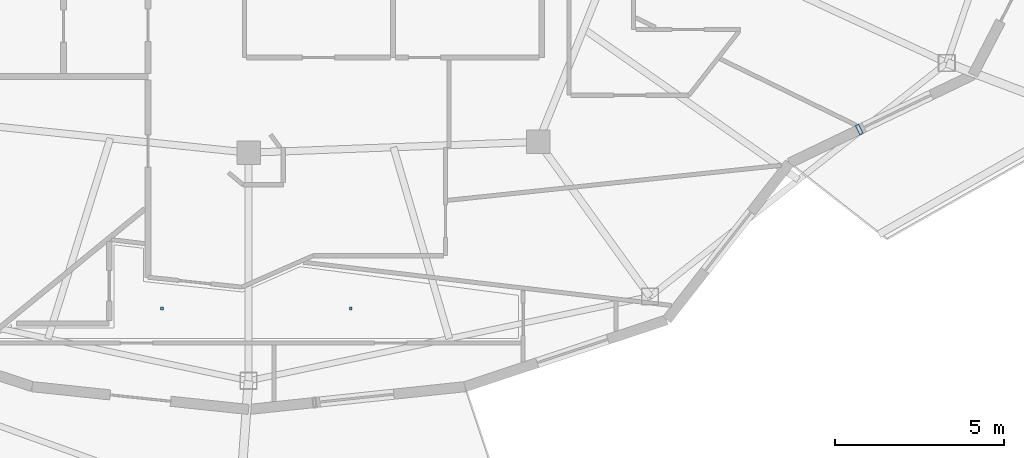
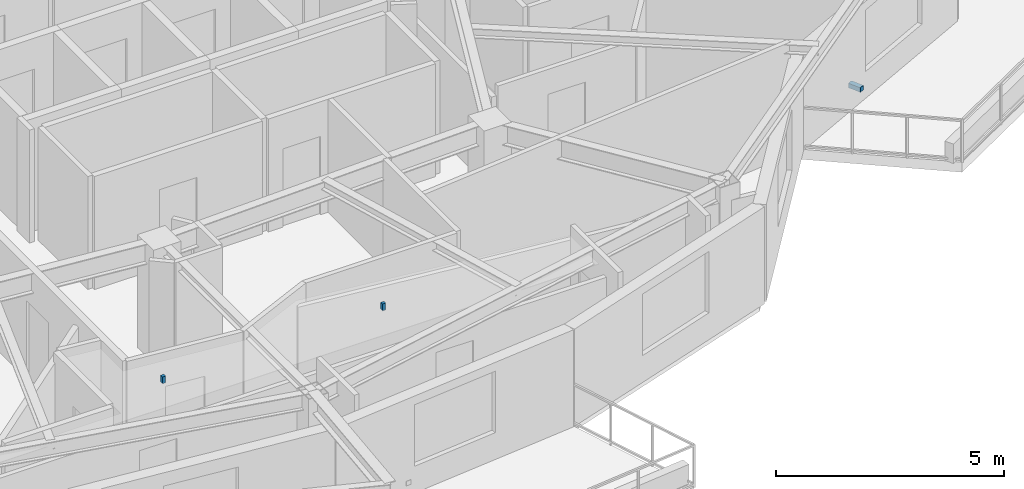
# One storey, part 8 of 14: 3 discrete accessories.
"""IFC4 building model written with IfcOpenShell, lengths in metres."""

from ifc_helpers import new_model, si_unit, direction, frame, origin, origin_2d, place, context, subcontext, project, spatial, rectangle, extrude, material, type_object, element, save


model = new_model("IFC4")

# Units and contexts
model_context = context("Model", 3, precision=1e-05, world=origin(), true_north=direction((0.0, 1.0)))
body_context = subcontext(model_context, "Body", "Model", "MODEL_VIEW")
ifc_project = project(units=[si_unit("LENGTHUNIT", "METRE"), si_unit("AREAUNIT", "SQUARE_METRE"), si_unit("VOLUMEUNIT", "CUBIC_METRE"), si_unit("PLANEANGLEUNIT", "RADIAN"), si_unit("MASSUNIT", "GRAM", prefix="KILO")], contexts=[model_context])

# Site, building, storey
site_placement = place(None, origin())
site = spatial("IfcSite", under=ifc_project, at=site_placement, CompositionType="ELEMENT")
building_placement = place(site_placement, origin())
building = spatial("IfcBuilding", under=site, at=building_placement, Name="Kolvaren Gate Tower and Convention Centre", CompositionType="ELEMENT")
storey_placement = place(building_placement, frame((0.0, 0.0, 216.199951171875)))
storey = spatial("IfcBuildingStorey", under=building, at=storey_placement, Name="L57", CompositionType="ELEMENT", Elevation=216.199951171875)

# Discrete accessories
ifc_material_1 = material(Name="Anodized Architectural Aluminium Alloy 6063-T6", Category="aluminium")
discrete_accessory_type_1 = type_object("IfcDiscreteAccessoryType", Name="ARCH-ACC-BRACKET-120", PredefinedType="BRACKET", material=ifc_material_1)
discrete_accessory_placement = place(storey_placement, frame((48.196533203125, 15.484375, 0.2900390625), z_axis=(0.0, 0.0, 1.0), x_axis=(0.90135914581, 0.433072384555, 0.0)))
element("IfcDiscreteAccessory", 1, at=discrete_accessory_placement, inside=storey, type_object=discrete_accessory_type_1, Name="Ceramic Fin Wall Anchor Bracket FBK-L57-21", PredefinedType="BRACKET", context=body_context, shape_type="SweptSolid", body=[
    extrude(rectangle(XDim=0.1201171875, YDim=0.320068359375, at=origin_2d()), origin(), (0.0, 0.0, 1.0), 0.1201171875),
])
ifc_material_2 = material(Name="Brushed Stainless Steel Grade 316L", Category="steel")
discrete_accessory_type_2 = type_object("IfcDiscreteAccessoryType", Name="ARCH-ACC-HANGER-80", PredefinedType="BRACKET", material=ifc_material_2)
for number, where, z_axis, x_axis, name in (
    (2, (27.55908203125, 10.18994140625, 2.85009765625), (0.0, 0.0, 1.0), (1.0, 0.0, 0.0), "Family Apartment Living and Dining Room (APT-L57-01) Ceiling Suspension Hanger Clip 1"),
    (3, (33.14501953125, 10.18994140625, 2.85009765625), (0.0, 0.0, 1.0), (1.0, 0.0, 0.0), "Family Apartment Living and Dining Room (APT-L57-01) Ceiling Suspension Hanger Clip 2"),
):
    element("IfcDiscreteAccessory", number, at=place(storey_placement, frame(where, z_axis=z_axis, x_axis=x_axis)), inside=storey, type_object=discrete_accessory_type_2, Name=name, PredefinedType="BRACKET", context=body_context, shape_type="SweptSolid", body=[
        extrude(rectangle(XDim=0.080078125, YDim=0.080078125, at=origin_2d()), origin(), (0.0, 0.0, 1.0), 0.179931640625),
    ])

save(model, "model.ifc")
